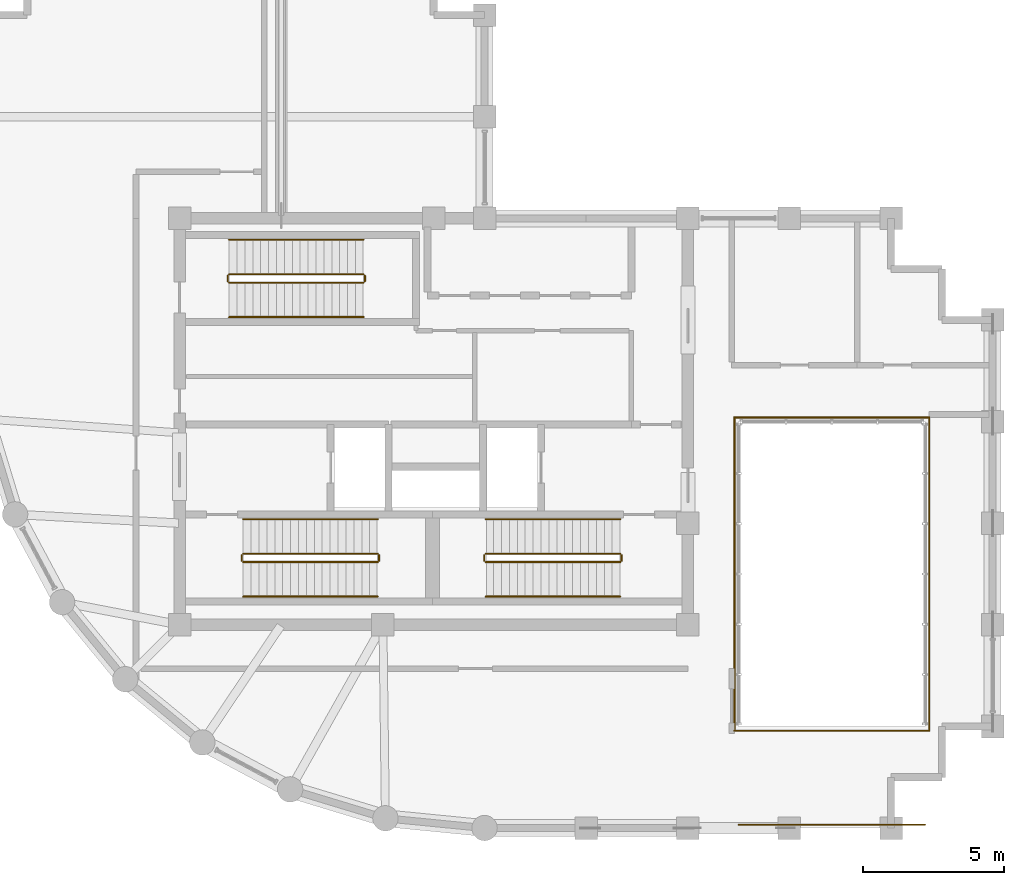
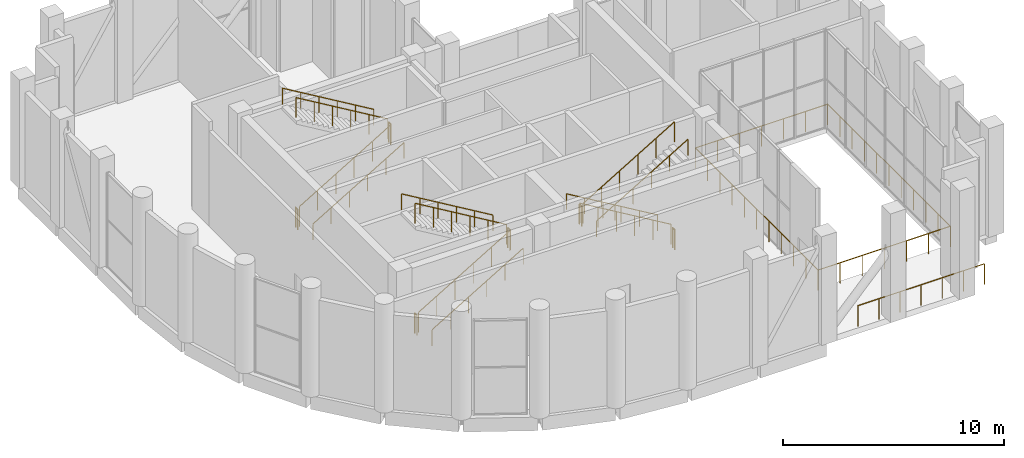
# One storey, part 17 of 17: 23 railings.
"""IFC4 building model written with IfcOpenShell, lengths in metres."""

from ifc_helpers import new_model, si_unit, direction, frame, origin, origin_2d, place, context, subcontext, project, spatial, circle, extrude, material, type_object, element, save


model = new_model("IFC4")

# Units and contexts
model_context = context("Model", 3, precision=1e-05, world=origin(), true_north=direction((0.0, 1.0)))
body_context = subcontext(model_context, "Body", "Model", "MODEL_VIEW")
ifc_project = project(units=[si_unit("LENGTHUNIT", "METRE"), si_unit("AREAUNIT", "SQUARE_METRE"), si_unit("VOLUMEUNIT", "CUBIC_METRE"), si_unit("PLANEANGLEUNIT", "RADIAN"), si_unit("MASSUNIT", "GRAM", prefix="KILO")], contexts=[model_context])

# Site, building, storey
site_placement = place(None, origin())
site = spatial("IfcSite", under=ifc_project, at=site_placement, CompositionType="ELEMENT")
building_placement = place(site_placement, origin())
building = spatial("IfcBuilding", under=site, at=building_placement, Name="Solnavia Interchange Tower", CompositionType="ELEMENT")
storey_placement = place(building_placement, frame((0.0, 0.0, 249.800048828125)))
storey = spatial("IfcBuildingStorey", under=building, at=storey_placement, Name="L63", CompositionType="ELEMENT", Elevation=249.800048828125)

# Railings
ifc_material_1 = material(Name="Painted Steel Balustrade", Category="steel")
railing_type_1 = type_object("IfcRailingType", Name="Railing-StairGuard-1100", PredefinedType="GUARDRAIL", material=ifc_material_1)
railing_1_placement = place(storey_placement, frame((16.64990234375, 13.02001953125, 0.16650390625)))
element("IfcRailing", 1, at=railing_1_placement, inside=storey, type_object=railing_type_1, Name="L63 ST-1 stair guard 1", PredefinedType="GUARDRAIL", context=body_context, shape_type="SweptSolid", body=[
    extrude(circle(Radius=0.02392578125, at=origin_2d()), frame((0.0, 0.0, 1.09619140625), z_axis=(0.859280431707, 0.0, 0.51150477973), x_axis=(0.0, 1.0, 0.0)), (0.0, 0.0, 1.0), 5.53955078125),
    extrude(circle(Radius=0.02099609375, at=origin_2d()), origin(), (0.0, 0.0, 1.0), 1.072021484375),
    extrude(circle(Radius=0.02099609375, at=origin_2d()), frame((0.951904296875, 0.0, 0.566650390625)), (0.0, 0.0, 1.0), 1.072021484375),
    extrude(circle(Radius=0.02099609375, at=origin_2d()), frame((1.904052734375, 0.0, 1.13330078125)), (0.0, 0.0, 1.0), 1.072021484375),
    extrude(circle(Radius=0.02099609375, at=origin_2d()), frame((2.85595703125, 0.0, 1.7001953125)), (0.0, 0.0, 1.0), 1.072021484375),
    extrude(circle(Radius=0.02099609375, at=origin_2d()), frame((3.80810546875, 0.0, 2.266845703125)), (0.0, 0.0, 1.0), 1.072021484375),
    extrude(circle(Radius=0.02099609375, at=origin_2d()), frame((4.760009765625, 0.0, 2.83349609375)), (0.0, 0.0, 1.0), 1.072021484375),
])
railing_2_placement = place(storey_placement, frame((21.4599609375, 13.070068359375, 3.0)))
element("IfcRailing", 2, at=railing_2_placement, inside=storey, type_object=railing_type_1, Name="L63 ST-1 stair guard 2", PredefinedType="GUARDRAIL", context=body_context, shape_type="SweptSolid", body=[
    extrude(circle(Radius=0.02392578125, at=origin_2d()), frame((0.0, 0.0, 1.09619140625), z_axis=(0.0, 1.0, 0.0), x_axis=(-1.0, 0.0, 0.0)), (0.0, 0.0, 1.0), 0.199951171875),
    extrude(circle(Radius=0.02099609375, at=origin_2d()), origin(), (0.0, 0.0, 1.0), 1.072021484375),
    extrude(circle(Radius=0.02099609375, at=origin_2d()), frame((0.0, 0.199951171875, 0.0)), (0.0, 0.0, 1.0), 1.072021484375),
])
railing_3_placement = place(storey_placement, frame((21.409912109375, 13.320068359375, 3.16650390625)))
element("IfcRailing", 3, at=railing_3_placement, inside=storey, type_object=railing_type_1, Name="L63 ST-1 stair guard 3", PredefinedType="GUARDRAIL", context=body_context, shape_type="SweptSolid", body=[
    extrude(circle(Radius=0.02392578125, at=origin_2d()), frame((0.0, 0.0, 1.09619140625), z_axis=(-0.859280431707, 0.0, 0.51150477973), x_axis=(0.0, -1.0, 0.0)), (0.0, 0.0, 1.0), 5.53955078125),
    extrude(circle(Radius=0.02099609375, at=origin_2d()), origin(), (0.0, 0.0, 1.0), 1.072021484375),
    extrude(circle(Radius=0.02099609375, at=origin_2d()), frame((-0.951904296875, 0.0, 0.566650390625)), (0.0, 0.0, 1.0), 1.072021484375),
    extrude(circle(Radius=0.02099609375, at=origin_2d()), frame((-1.904052734375, 0.0, 1.13330078125)), (0.0, 0.0, 1.0), 1.072021484375),
    extrude(circle(Radius=0.02099609375, at=origin_2d()), frame((-2.85595703125, 0.0, 1.7001953125)), (0.0, 0.0, 1.0), 1.072021484375),
    extrude(circle(Radius=0.02099609375, at=origin_2d()), frame((-3.80810546875, 0.0, 2.266845703125)), (0.0, 0.0, 1.0), 1.072021484375),
    extrude(circle(Radius=0.02099609375, at=origin_2d()), frame((-4.760009765625, 0.0, 2.83349609375)), (0.0, 0.0, 1.0), 1.072021484375),
])
railing_4_placement = place(storey_placement, frame((16.60009765625, 13.070068359375, 0.0)))
element("IfcRailing", 4, at=railing_4_placement, inside=storey, type_object=railing_type_1, Name="L63 ST-1 stair guard 4", PredefinedType="GUARDRAIL", context=body_context, shape_type="SweptSolid", body=[
    extrude(circle(Radius=0.02392578125, at=origin_2d()), frame((0.0, 0.0, 1.09619140625), z_axis=(0.0, 1.0, 0.0), x_axis=(-1.0, 0.0, 0.0)), (0.0, 0.0, 1.0), 0.199951171875),
    extrude(circle(Radius=0.02099609375, at=origin_2d()), origin(), (0.0, 0.0, 1.0), 1.072021484375),
    extrude(circle(Radius=0.02099609375, at=origin_2d()), frame((0.0, 0.199951171875, 0.0)), (0.0, 0.0, 1.0), 1.072021484375),
])
railing_5_placement = place(storey_placement, frame((30.0, 13.320068359375, 0.16650390625)))
element("IfcRailing", 5, at=railing_5_placement, inside=storey, type_object=railing_type_1, Name="L63 ST-2 stair guard 1", PredefinedType="GUARDRAIL", context=body_context, shape_type="SweptSolid", body=[
    extrude(circle(Radius=0.02392578125, at=origin_2d()), frame((0.0, 0.0, 1.09619140625), z_axis=(-0.859280431707, 0.0, 0.51150477973), x_axis=(0.0, -1.0, 0.0)), (0.0, 0.0, 1.0), 5.53955078125),
    extrude(circle(Radius=0.02099609375, at=origin_2d()), origin(), (0.0, 0.0, 1.0), 1.072021484375),
    extrude(circle(Radius=0.02099609375, at=origin_2d()), frame((-0.951904296875, 0.0, 0.566650390625)), (0.0, 0.0, 1.0), 1.072021484375),
    extrude(circle(Radius=0.02099609375, at=origin_2d()), frame((-1.904052734375, 0.0, 1.13330078125)), (0.0, 0.0, 1.0), 1.072021484375),
    extrude(circle(Radius=0.02099609375, at=origin_2d()), frame((-2.85595703125, 0.0, 1.7001953125)), (0.0, 0.0, 1.0), 1.072021484375),
    extrude(circle(Radius=0.02099609375, at=origin_2d()), frame((-3.80810546875, 0.0, 2.266845703125)), (0.0, 0.0, 1.0), 1.072021484375),
    extrude(circle(Radius=0.02099609375, at=origin_2d()), frame((-4.760009765625, 0.0, 2.83349609375)), (0.0, 0.0, 1.0), 1.072021484375),
])
railing_6_placement = place(storey_placement, frame((25.18994140625, 13.27001953125, 3.0)))
element("IfcRailing", 6, at=railing_6_placement, inside=storey, type_object=railing_type_1, Name="L63 ST-2 stair guard 2", PredefinedType="GUARDRAIL", context=body_context, shape_type="SweptSolid", body=[
    extrude(circle(Radius=0.02392578125, at=origin_2d()), frame((0.0, 0.0, 1.09619140625), z_axis=(0.0, -1.0, 0.0), x_axis=(1.0, 0.0, 0.0)), (0.0, 0.0, 1.0), 0.199951171875),
    extrude(circle(Radius=0.02099609375, at=origin_2d()), origin(), (0.0, 0.0, 1.0), 1.072021484375),
    extrude(circle(Radius=0.02099609375, at=origin_2d()), frame((0.0, -0.199951171875, 0.0)), (0.0, 0.0, 1.0), 1.072021484375),
])
railing_7_placement = place(storey_placement, frame((25.239990234375, 13.02001953125, 3.16650390625)))
element("IfcRailing", 7, at=railing_7_placement, inside=storey, type_object=railing_type_1, Name="L63 ST-2 stair guard 3", PredefinedType="GUARDRAIL", context=body_context, shape_type="SweptSolid", body=[
    extrude(circle(Radius=0.02392578125, at=origin_2d()), frame((0.0, 0.0, 1.09619140625), z_axis=(0.859280431707, 0.0, 0.51150477973), x_axis=(0.0, 1.0, 0.0)), (0.0, 0.0, 1.0), 5.53955078125),
    extrude(circle(Radius=0.02099609375, at=origin_2d()), origin(), (0.0, 0.0, 1.0), 1.072021484375),
    extrude(circle(Radius=0.02099609375, at=origin_2d()), frame((0.951904296875, 0.0, 0.566650390625)), (0.0, 0.0, 1.0), 1.072021484375),
    extrude(circle(Radius=0.02099609375, at=origin_2d()), frame((1.904052734375, 0.0, 1.13330078125)), (0.0, 0.0, 1.0), 1.072021484375),
    extrude(circle(Radius=0.02099609375, at=origin_2d()), frame((2.85595703125, 0.0, 1.7001953125)), (0.0, 0.0, 1.0), 1.072021484375),
    extrude(circle(Radius=0.02099609375, at=origin_2d()), frame((3.80810546875, 0.0, 2.266845703125)), (0.0, 0.0, 1.0), 1.072021484375),
    extrude(circle(Radius=0.02099609375, at=origin_2d()), frame((4.760009765625, 0.0, 2.83349609375)), (0.0, 0.0, 1.0), 1.072021484375),
])
railing_8_placement = place(storey_placement, frame((30.050048828125, 13.27001953125, 0.0)))
element("IfcRailing", 8, at=railing_8_placement, inside=storey, type_object=railing_type_1, Name="L63 ST-2 stair guard 4", PredefinedType="GUARDRAIL", context=body_context, shape_type="SweptSolid", body=[
    extrude(circle(Radius=0.02392578125, at=origin_2d()), frame((0.0, 0.0, 1.09619140625), z_axis=(0.0, -1.0, 0.0), x_axis=(1.0, 0.0, 0.0)), (0.0, 0.0, 1.0), 0.199951171875),
    extrude(circle(Radius=0.02099609375, at=origin_2d()), origin(), (0.0, 0.0, 1.0), 1.072021484375),
    extrude(circle(Radius=0.02099609375, at=origin_2d()), frame((0.0, -0.199951171875, 0.0)), (0.0, 0.0, 1.0), 1.072021484375),
])
railing_9_placement = place(storey_placement, frame((16.14990234375, 22.919921875, 0.16650390625)))
element("IfcRailing", 9, at=railing_9_placement, inside=storey, type_object=railing_type_1, Name="L63 ST-3 stair guard 1", PredefinedType="GUARDRAIL", context=body_context, shape_type="SweptSolid", body=[
    extrude(circle(Radius=0.02392578125, at=origin_2d()), frame((0.0, 0.0, 1.09619140625), z_axis=(0.859280431707, 0.0, 0.51150477973), x_axis=(0.0, 1.0, 0.0)), (0.0, 0.0, 1.0), 5.53955078125),
    extrude(circle(Radius=0.02099609375, at=origin_2d()), origin(), (0.0, 0.0, 1.0), 1.072021484375),
    extrude(circle(Radius=0.02099609375, at=origin_2d()), frame((0.951904296875, 0.0, 0.566650390625)), (0.0, 0.0, 1.0), 1.072021484375),
    extrude(circle(Radius=0.02099609375, at=origin_2d()), frame((1.904052734375, 0.0, 1.13330078125)), (0.0, 0.0, 1.0), 1.072021484375),
    extrude(circle(Radius=0.02099609375, at=origin_2d()), frame((2.85595703125, 0.0, 1.7001953125)), (0.0, 0.0, 1.0), 1.072021484375),
    extrude(circle(Radius=0.02099609375, at=origin_2d()), frame((3.80810546875, 0.0, 2.266845703125)), (0.0, 0.0, 1.0), 1.072021484375),
    extrude(circle(Radius=0.02099609375, at=origin_2d()), frame((4.760009765625, 0.0, 2.83349609375)), (0.0, 0.0, 1.0), 1.072021484375),
])
railing_10_placement = place(storey_placement, frame((20.9599609375, 22.969970703125, 3.0)))
element("IfcRailing", 10, at=railing_10_placement, inside=storey, type_object=railing_type_1, Name="L63 ST-3 stair guard 2", PredefinedType="GUARDRAIL", context=body_context, shape_type="SweptSolid", body=[
    extrude(circle(Radius=0.02392578125, at=origin_2d()), frame((0.0, 0.0, 1.09619140625), z_axis=(0.0, 1.0, 0.0), x_axis=(-1.0, 0.0, 0.0)), (0.0, 0.0, 1.0), 0.199951171875),
    extrude(circle(Radius=0.02099609375, at=origin_2d()), origin(), (0.0, 0.0, 1.0), 1.072021484375),
    extrude(circle(Radius=0.02099609375, at=origin_2d()), frame((0.0, 0.199951171875, 0.0)), (0.0, 0.0, 1.0), 1.072021484375),
])
railing_11_placement = place(storey_placement, frame((20.909912109375, 23.219970703125, 3.16650390625)))
element("IfcRailing", 11, at=railing_11_placement, inside=storey, type_object=railing_type_1, Name="L63 ST-3 stair guard 3", PredefinedType="GUARDRAIL", context=body_context, shape_type="SweptSolid", body=[
    extrude(circle(Radius=0.02392578125, at=origin_2d()), frame((0.0, 0.0, 1.09619140625), z_axis=(-0.859280431707, 0.0, 0.51150477973), x_axis=(0.0, -1.0, 0.0)), (0.0, 0.0, 1.0), 5.53955078125),
    extrude(circle(Radius=0.02099609375, at=origin_2d()), origin(), (0.0, 0.0, 1.0), 1.072021484375),
    extrude(circle(Radius=0.02099609375, at=origin_2d()), frame((-0.951904296875, 0.0, 0.566650390625)), (0.0, 0.0, 1.0), 1.072021484375),
    extrude(circle(Radius=0.02099609375, at=origin_2d()), frame((-1.904052734375, 0.0, 1.13330078125)), (0.0, 0.0, 1.0), 1.072021484375),
    extrude(circle(Radius=0.02099609375, at=origin_2d()), frame((-2.85595703125, 0.0, 1.7001953125)), (0.0, 0.0, 1.0), 1.072021484375),
    extrude(circle(Radius=0.02099609375, at=origin_2d()), frame((-3.80810546875, 0.0, 2.266845703125)), (0.0, 0.0, 1.0), 1.072021484375),
    extrude(circle(Radius=0.02099609375, at=origin_2d()), frame((-4.760009765625, 0.0, 2.83349609375)), (0.0, 0.0, 1.0), 1.072021484375),
])
railing_12_placement = place(storey_placement, frame((16.10009765625, 22.969970703125, 0.0)))
element("IfcRailing", 12, at=railing_12_placement, inside=storey, type_object=railing_type_1, Name="L63 ST-3 stair guard 4", PredefinedType="GUARDRAIL", context=body_context, shape_type="SweptSolid", body=[
    extrude(circle(Radius=0.02392578125, at=origin_2d()), frame((0.0, 0.0, 1.09619140625), z_axis=(0.0, 1.0, 0.0), x_axis=(-1.0, 0.0, 0.0)), (0.0, 0.0, 1.0), 0.199951171875),
    extrude(circle(Radius=0.02099609375, at=origin_2d()), origin(), (0.0, 0.0, 1.0), 1.072021484375),
    extrude(circle(Radius=0.02099609375, at=origin_2d()), frame((0.0, 0.199951171875, 0.0)), (0.0, 0.0, 1.0), 1.072021484375),
])
ifc_material_2 = material(Name="Brushed Stainless Steel", Category="steel")
railing_type_2 = type_object("IfcRailingType", Name="Railing-StairHandrail-900", PredefinedType="HANDRAIL", material=ifc_material_2)
railing_13_placement = place(storey_placement, frame((16.64990234375, 11.800048828125, 0.16650390625)))
element("IfcRailing", 13, at=railing_13_placement, inside=storey, type_object=railing_type_2, Name="L63 ST-1 stair handrail 1", PredefinedType="HANDRAIL", context=body_context, shape_type="SweptSolid", body=[
    extrude(circle(Radius=0.02392578125, at=origin_2d()), frame((0.0, 0.0, 0.8759765625), z_axis=(0.859280431707, 0.0, 0.51150477973), x_axis=(0.0, 1.0, 0.0)), (0.0, 0.0, 1.0), 5.53955078125),
    extrude(circle(Radius=0.02099609375, at=origin_2d()), origin(), (0.0, 0.0, 1.0), 0.851806640625),
    extrude(circle(Radius=0.02099609375, at=origin_2d()), frame((0.951904296875, 0.0, 0.566650390625)), (0.0, 0.0, 1.0), 0.851806640625),
    extrude(circle(Radius=0.02099609375, at=origin_2d()), frame((1.904052734375, 0.0, 1.13330078125)), (0.0, 0.0, 1.0), 0.851806640625),
    extrude(circle(Radius=0.02099609375, at=origin_2d()), frame((2.85595703125, 0.0, 1.7001953125)), (0.0, 0.0, 1.0), 0.851806640625),
    extrude(circle(Radius=0.02099609375, at=origin_2d()), frame((3.80810546875, 0.0, 2.266845703125)), (0.0, 0.0, 1.0), 0.851806640625),
    extrude(circle(Radius=0.02099609375, at=origin_2d()), frame((4.760009765625, 0.0, 2.83349609375)), (0.0, 0.0, 1.0), 0.851806640625),
])
for number, where, name in (
    (14, (21.409912109375, 14.5400390625, 3.16650390625), "L63 ST-1 stair handrail 2"),
    (15, (30.0, 14.5400390625, 0.16650390625), "L63 ST-2 stair handrail 1"),
):
    element("IfcRailing", number, at=place(storey_placement, frame(where)), inside=storey, type_object=railing_type_2, Name=name, PredefinedType="HANDRAIL", context=body_context, shape_type="SweptSolid", body=[
        extrude(circle(Radius=0.02392578125, at=origin_2d()), frame((0.0, 0.0, 0.8759765625), z_axis=(-0.859280431707, 0.0, 0.51150477973), x_axis=(0.0, -1.0, 0.0)), (0.0, 0.0, 1.0), 5.53955078125),
        extrude(circle(Radius=0.02099609375, at=origin_2d()), origin(), (0.0, 0.0, 1.0), 0.851806640625),
        extrude(circle(Radius=0.02099609375, at=origin_2d()), frame((-0.951904296875, 0.0, 0.566650390625)), (0.0, 0.0, 1.0), 0.851806640625),
        extrude(circle(Radius=0.02099609375, at=origin_2d()), frame((-1.904052734375, 0.0, 1.13330078125)), (0.0, 0.0, 1.0), 0.851806640625),
        extrude(circle(Radius=0.02099609375, at=origin_2d()), frame((-2.85595703125, 0.0, 1.7001953125)), (0.0, 0.0, 1.0), 0.851806640625),
        extrude(circle(Radius=0.02099609375, at=origin_2d()), frame((-3.80810546875, 0.0, 2.266845703125)), (0.0, 0.0, 1.0), 0.851806640625),
        extrude(circle(Radius=0.02099609375, at=origin_2d()), frame((-4.760009765625, 0.0, 2.83349609375)), (0.0, 0.0, 1.0), 0.851806640625),
    ])
for number, where, name in (
    (16, (25.239990234375, 11.800048828125, 3.16650390625), "L63 ST-2 stair handrail 2"),
    (17, (16.14990234375, 21.699951171875, 0.16650390625), "L63 ST-3 stair handrail 1"),
):
    element("IfcRailing", number, at=place(storey_placement, frame(where)), inside=storey, type_object=railing_type_2, Name=name, PredefinedType="HANDRAIL", context=body_context, shape_type="SweptSolid", body=[
        extrude(circle(Radius=0.02392578125, at=origin_2d()), frame((0.0, 0.0, 0.8759765625), z_axis=(0.859280431707, 0.0, 0.51150477973), x_axis=(0.0, 1.0, 0.0)), (0.0, 0.0, 1.0), 5.53955078125),
        extrude(circle(Radius=0.02099609375, at=origin_2d()), origin(), (0.0, 0.0, 1.0), 0.851806640625),
        extrude(circle(Radius=0.02099609375, at=origin_2d()), frame((0.951904296875, 0.0, 0.566650390625)), (0.0, 0.0, 1.0), 0.851806640625),
        extrude(circle(Radius=0.02099609375, at=origin_2d()), frame((1.904052734375, 0.0, 1.13330078125)), (0.0, 0.0, 1.0), 0.851806640625),
        extrude(circle(Radius=0.02099609375, at=origin_2d()), frame((2.85595703125, 0.0, 1.7001953125)), (0.0, 0.0, 1.0), 0.851806640625),
        extrude(circle(Radius=0.02099609375, at=origin_2d()), frame((3.80810546875, 0.0, 2.266845703125)), (0.0, 0.0, 1.0), 0.851806640625),
        extrude(circle(Radius=0.02099609375, at=origin_2d()), frame((4.760009765625, 0.0, 2.83349609375)), (0.0, 0.0, 1.0), 0.851806640625),
    ])
railing_14_placement = place(storey_placement, frame((20.909912109375, 24.43994140625, 3.16650390625)))
element("IfcRailing", 18, at=railing_14_placement, inside=storey, type_object=railing_type_2, Name="L63 ST-3 stair handrail 2", PredefinedType="HANDRAIL", context=body_context, shape_type="SweptSolid", body=[
    extrude(circle(Radius=0.02392578125, at=origin_2d()), frame((0.0, 0.0, 0.8759765625), z_axis=(-0.859280431707, 0.0, 0.51150477973), x_axis=(0.0, -1.0, 0.0)), (0.0, 0.0, 1.0), 5.53955078125),
    extrude(circle(Radius=0.02099609375, at=origin_2d()), origin(), (0.0, 0.0, 1.0), 0.851806640625),
    extrude(circle(Radius=0.02099609375, at=origin_2d()), frame((-0.951904296875, 0.0, 0.566650390625)), (0.0, 0.0, 1.0), 0.851806640625),
    extrude(circle(Radius=0.02099609375, at=origin_2d()), frame((-1.904052734375, 0.0, 1.13330078125)), (0.0, 0.0, 1.0), 0.851806640625),
    extrude(circle(Radius=0.02099609375, at=origin_2d()), frame((-2.85595703125, 0.0, 1.7001953125)), (0.0, 0.0, 1.0), 0.851806640625),
    extrude(circle(Radius=0.02099609375, at=origin_2d()), frame((-3.80810546875, 0.0, 2.266845703125)), (0.0, 0.0, 1.0), 0.851806640625),
    extrude(circle(Radius=0.02099609375, at=origin_2d()), frame((-4.760009765625, 0.0, 2.83349609375)), (0.0, 0.0, 1.0), 0.851806640625),
])
ifc_material_3 = material(Name="Laminated Safety Glass & Stainless Steel", Category="steel")
railing_type_3 = type_object("IfcRailingType", Name="Railing-TerraceGuard-1150", PredefinedType="GUARDRAIL", material=ifc_material_3)
railing_15_placement = place(storey_placement, frame((34.050048828125, 7.050048828125, 0.0)))
element("IfcRailing", 19, at=railing_15_placement, inside=storey, type_object=railing_type_3, Name="GRD-L63-WPT-01 Perimeter terrace guardrail", PredefinedType="GUARDRAIL", context=body_context, shape_type="SweptSolid", body=[
    extrude(circle(Radius=0.02392578125, at=origin_2d()), frame((0.0, 0.0, 1.1259765625), z_axis=(1.0, 0.0, 0.0), x_axis=(0.0, 1.0, 0.0)), (0.0, 0.0, 1.0), 6.89990234375),
    extrude(circle(Radius=0.02099609375, at=origin_2d()), origin(), (0.0, 0.0, 1.0), 1.101806640625),
    extrude(circle(Radius=0.02099609375, at=origin_2d()), frame((1.14990234375, 0.0, 0.0)), (0.0, 0.0, 1.0), 1.101806640625),
    extrude(circle(Radius=0.02099609375, at=origin_2d()), frame((2.300048828125, 0.0, 0.0)), (0.0, 0.0, 1.0), 1.101806640625),
    extrude(circle(Radius=0.02099609375, at=origin_2d()), frame((3.449951171875, 0.0, 0.0)), (0.0, 0.0, 1.0), 1.101806640625),
    extrude(circle(Radius=0.02099609375, at=origin_2d()), frame((4.599853515625, 0.0, 0.0)), (0.0, 0.0, 1.0), 1.101806640625),
    extrude(circle(Radius=0.02099609375, at=origin_2d()), frame((5.75, 0.0, 0.0)), (0.0, 0.0, 1.0), 1.101806640625),
    extrude(circle(Radius=0.02099609375, at=origin_2d()), frame((6.89990234375, 0.0, 0.0)), (0.0, 0.0, 1.0), 1.101806640625),
])
railing_16_placement = place(storey_placement, frame((40.949951171875, 7.050048828125, 0.0)))
element("IfcRailing", 20, at=railing_16_placement, inside=storey, type_object=railing_type_3, Name="GRD-L63-WPT-02 Perimeter terrace guardrail", PredefinedType="GUARDRAIL", context=body_context, shape_type="SweptSolid", body=[
    extrude(circle(Radius=0.02392578125, at=origin_2d()), frame((0.0, 0.0, 1.1259765625), z_axis=(0.0, 1.0, 0.0), x_axis=(-1.0, 0.0, 0.0)), (0.0, 0.0, 1.0), 11.099853515625),
    extrude(circle(Radius=0.02099609375, at=origin_2d()), origin(), (0.0, 0.0, 1.0), 1.101806640625),
    extrude(circle(Radius=0.02099609375, at=origin_2d()), frame((0.0, 1.10986328125, 0.0)), (0.0, 0.0, 1.0), 1.101806640625),
    extrude(circle(Radius=0.02099609375, at=origin_2d()), frame((0.0, 2.219970703125, 0.0)), (0.0, 0.0, 1.0), 1.101806640625),
    extrude(circle(Radius=0.02099609375, at=origin_2d()), frame((0.0, 3.330078125, 0.0)), (0.0, 0.0, 1.0), 1.101806640625),
    extrude(circle(Radius=0.02099609375, at=origin_2d()), frame((0.0, 4.43994140625, 0.0)), (0.0, 0.0, 1.0), 1.101806640625),
    extrude(circle(Radius=0.02099609375, at=origin_2d()), frame((0.0, 5.5498046875, 0.0)), (0.0, 0.0, 1.0), 1.101806640625),
    extrude(circle(Radius=0.02099609375, at=origin_2d()), frame((0.0, 6.659912109375, 0.0)), (0.0, 0.0, 1.0), 1.101806640625),
    extrude(circle(Radius=0.02099609375, at=origin_2d()), frame((0.0, 7.769775390625, 0.0)), (0.0, 0.0, 1.0), 1.101806640625),
    extrude(circle(Radius=0.02099609375, at=origin_2d()), frame((0.0, 8.8798828125, 0.0)), (0.0, 0.0, 1.0), 1.101806640625),
    extrude(circle(Radius=0.02099609375, at=origin_2d()), frame((0.0, 9.98974609375, 0.0)), (0.0, 0.0, 1.0), 1.101806640625),
    extrude(circle(Radius=0.02099609375, at=origin_2d()), frame((0.0, 11.099853515625, 0.0)), (0.0, 0.0, 1.0), 1.101806640625),
])
railing_17_placement = place(storey_placement, frame((40.949951171875, 18.14990234375, 0.0)))
element("IfcRailing", 21, at=railing_17_placement, inside=storey, type_object=railing_type_3, Name="GRD-L63-WPT-03 Perimeter terrace guardrail", PredefinedType="GUARDRAIL", context=body_context, shape_type="SweptSolid", body=[
    extrude(circle(Radius=0.02392578125, at=origin_2d()), frame((0.0, 0.0, 1.1259765625), z_axis=(-1.0, 0.0, 0.0), x_axis=(0.0, -1.0, 0.0)), (0.0, 0.0, 1.0), 6.89990234375),
    extrude(circle(Radius=0.02099609375, at=origin_2d()), origin(), (0.0, 0.0, 1.0), 1.101806640625),
    extrude(circle(Radius=0.02099609375, at=origin_2d()), frame((-1.14990234375, 0.0, 0.0)), (0.0, 0.0, 1.0), 1.101806640625),
    extrude(circle(Radius=0.02099609375, at=origin_2d()), frame((-2.300048828125, 0.0, 0.0)), (0.0, 0.0, 1.0), 1.101806640625),
    extrude(circle(Radius=0.02099609375, at=origin_2d()), frame((-3.449951171875, 0.0, 0.0)), (0.0, 0.0, 1.0), 1.101806640625),
    extrude(circle(Radius=0.02099609375, at=origin_2d()), frame((-4.599853515625, 0.0, 0.0)), (0.0, 0.0, 1.0), 1.101806640625),
    extrude(circle(Radius=0.02099609375, at=origin_2d()), frame((-5.75, 0.0, 0.0)), (0.0, 0.0, 1.0), 1.101806640625),
    extrude(circle(Radius=0.02099609375, at=origin_2d()), frame((-6.89990234375, 0.0, 0.0)), (0.0, 0.0, 1.0), 1.101806640625),
])
railing_18_placement = place(storey_placement, frame((34.050048828125, 18.14990234375, 0.0)))
element("IfcRailing", 22, at=railing_18_placement, inside=storey, type_object=railing_type_3, Name="GRD-L63-WPT-04 Perimeter terrace guardrail", PredefinedType="GUARDRAIL", context=body_context, shape_type="SweptSolid", body=[
    extrude(circle(Radius=0.02392578125, at=origin_2d()), frame((0.0, 0.0, 1.1259765625), z_axis=(0.0, -1.0, 0.0), x_axis=(1.0, 0.0, 0.0)), (0.0, 0.0, 1.0), 11.099853515625),
    extrude(circle(Radius=0.02099609375, at=origin_2d()), origin(), (0.0, 0.0, 1.0), 1.101806640625),
    extrude(circle(Radius=0.02099609375, at=origin_2d()), frame((0.0, -1.10986328125, 0.0)), (0.0, 0.0, 1.0), 1.101806640625),
    extrude(circle(Radius=0.02099609375, at=origin_2d()), frame((0.0, -2.219970703125, 0.0)), (0.0, 0.0, 1.0), 1.101806640625),
    extrude(circle(Radius=0.02099609375, at=origin_2d()), frame((0.0, -3.330078125, 0.0)), (0.0, 0.0, 1.0), 1.101806640625),
    extrude(circle(Radius=0.02099609375, at=origin_2d()), frame((0.0, -4.43994140625, 0.0)), (0.0, 0.0, 1.0), 1.101806640625),
    extrude(circle(Radius=0.02099609375, at=origin_2d()), frame((0.0, -5.5498046875, 0.0)), (0.0, 0.0, 1.0), 1.101806640625),
    extrude(circle(Radius=0.02099609375, at=origin_2d()), frame((0.0, -6.659912109375, 0.0)), (0.0, 0.0, 1.0), 1.101806640625),
    extrude(circle(Radius=0.02099609375, at=origin_2d()), frame((0.0, -7.769775390625, 0.0)), (0.0, 0.0, 1.0), 1.101806640625),
    extrude(circle(Radius=0.02099609375, at=origin_2d()), frame((0.0, -8.8798828125, 0.0)), (0.0, 0.0, 1.0), 1.101806640625),
    extrude(circle(Radius=0.02099609375, at=origin_2d()), frame((0.0, -9.98974609375, 0.0)), (0.0, 0.0, 1.0), 1.101806640625),
    extrude(circle(Radius=0.02099609375, at=origin_2d()), frame((0.0, -11.099853515625, 0.0)), (0.0, 0.0, 1.0), 1.101806640625),
])
railing_19_placement = place(storey_placement, frame((34.199951171875, 3.719970703125, 0.0)))
element("IfcRailing", 23, at=railing_19_placement, inside=storey, type_object=railing_type_3, Name="GRD-L63-WPS-01 Perimeter terrace guardrail", PredefinedType="GUARDRAIL", context=body_context, shape_type="SweptSolid", body=[
    extrude(circle(Radius=0.02392578125, at=origin_2d()), frame((0.0, 0.0, 1.1259765625), z_axis=(1.0, 0.0, 0.0), x_axis=(0.0, 1.0, 0.0)), (0.0, 0.0, 1.0), 6.60009765625),
    extrude(circle(Radius=0.02099609375, at=origin_2d()), origin(), (0.0, 0.0, 1.0), 1.101806640625),
    extrude(circle(Radius=0.02099609375, at=origin_2d()), frame((1.10009765625, 0.0, 0.0)), (0.0, 0.0, 1.0), 1.101806640625),
    extrude(circle(Radius=0.02099609375, at=origin_2d()), frame((2.199951171875, 0.0, 0.0)), (0.0, 0.0, 1.0), 1.101806640625),
    extrude(circle(Radius=0.02099609375, at=origin_2d()), frame((3.300048828125, 0.0, 0.0)), (0.0, 0.0, 1.0), 1.101806640625),
    extrude(circle(Radius=0.02099609375, at=origin_2d()), frame((4.400146484375, 0.0, 0.0)), (0.0, 0.0, 1.0), 1.101806640625),
    extrude(circle(Radius=0.02099609375, at=origin_2d()), frame((5.5, 0.0, 0.0)), (0.0, 0.0, 1.0), 1.101806640625),
    extrude(circle(Radius=0.02099609375, at=origin_2d()), frame((6.60009765625, 0.0, 0.0)), (0.0, 0.0, 1.0), 1.101806640625),
])

save(model, "model.ifc")
